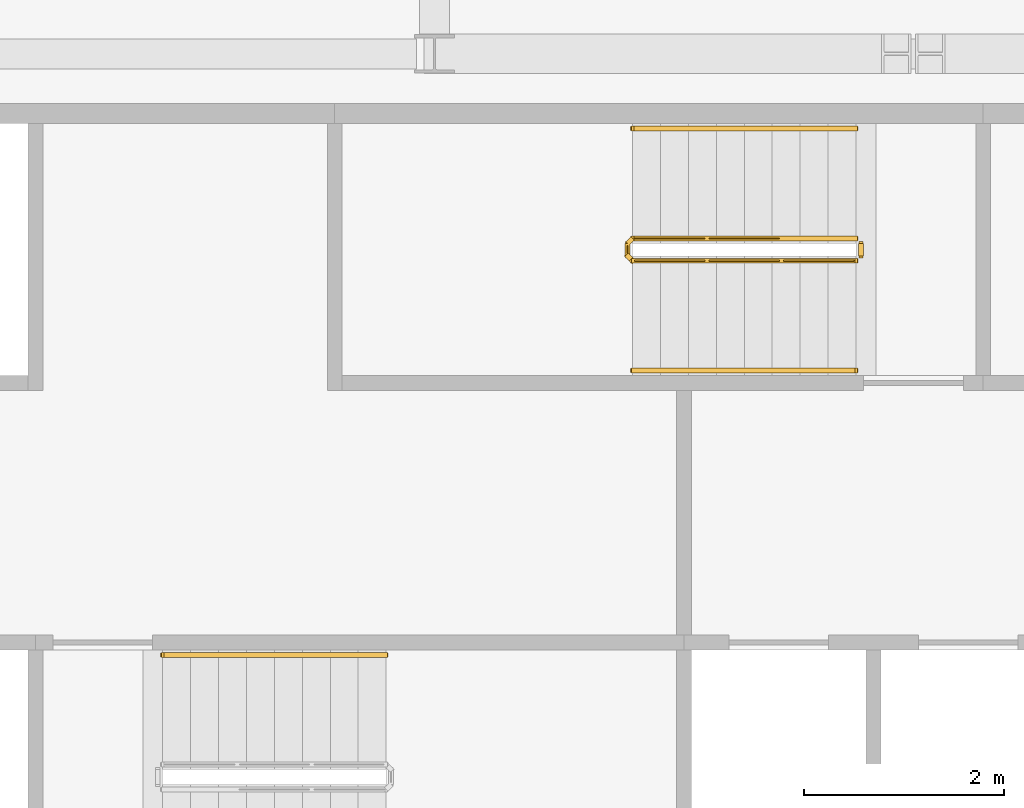
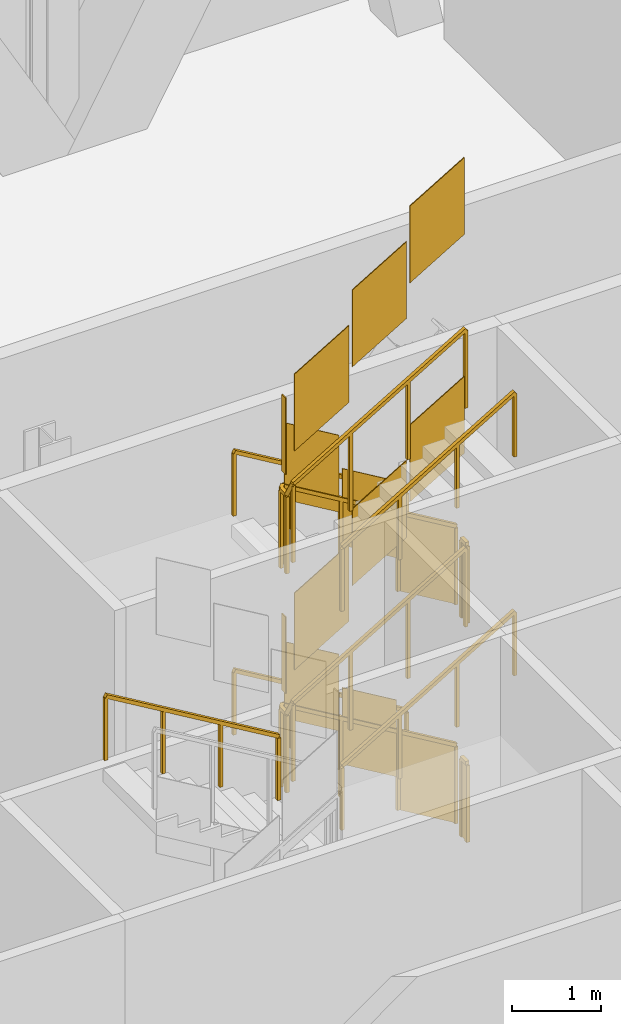
# One storey, part 18 of 18: 9 railings.
"""IFC4 building model written with IfcOpenShell, lengths in metres."""

from ifc_helpers import new_model, si_unit, direction, frame, origin, origin_2d, place, context, subcontext, project, spatial, polyline, rectangle, outline, extrude, material, type_object, element, save


model = new_model("IFC4")

# Units and contexts
model_context = context("Model", 3, precision=1e-05, world=origin(), true_north=direction((0.0, 1.0)))
body_context = subcontext(model_context, "Body", "Model", "MODEL_VIEW")
ifc_project = project(units=[si_unit("LENGTHUNIT", "METRE"), si_unit("AREAUNIT", "SQUARE_METRE"), si_unit("VOLUMEUNIT", "CUBIC_METRE"), si_unit("PLANEANGLEUNIT", "RADIAN"), si_unit("MASSUNIT", "GRAM", prefix="KILO")], contexts=[model_context])

# Site, building, storey
site_placement = place(None, origin())
site = spatial("IfcSite", under=ifc_project, at=site_placement, CompositionType="ELEMENT")
building_placement = place(site_placement, origin())
building = spatial("IfcBuilding", under=site, at=building_placement, Name="Cairn Pilgrim Tower", CompositionType="ELEMENT")
storey_placement = place(building_placement, frame((0.0, 0.0, 261.0)))
storey = spatial("IfcBuildingStorey", under=building, at=storey_placement, Name="L67", CompositionType="ELEMENT", Elevation=261.0)

# Railings
ifc_material = material(Name="Painted steel", Category="steel")
railing_type_1 = type_object("IfcRailingType", Name="STAIR GUARD 1100", PredefinedType="GUARDRAIL", material=ifc_material)
railing_1_placement = place(storey_placement, frame((11.425048828125, 8.949951171875, 0.166748046875)))
element("IfcRailing", 1, at=railing_1_placement, inside=storey, type_object=railing_type_1, Name="L67 ST-C stair guard 1", PredefinedType="GUARDRAIL", context=body_context, shape_type="SweptSolid", body=[
    extrude(rectangle(XDim=0.048095703125, YDim=0.048095703125, at=origin_2d()), frame((0.0, 0.0, 1.076171875), z_axis=(-0.859305625298, 0.0, 0.511462454469), x_axis=(0.0, -1.0, 0.0)), (0.0, 0.0, 1.0), 2.606689453125),
    extrude(rectangle(XDim=0.048095703125, YDim=0.048095703125, at=origin_2d()), frame((-2.239990234375, 0.0, 2.4091796875), z_axis=(-0.707106781187, -0.707106781187, 0.0), x_axis=(0.707106781187, -0.707106781187, 0.0)), (0.0, 0.0, 1.0), 0.07080078125),
    extrude(rectangle(XDim=0.048095703125, YDim=0.048095703125, at=origin_2d()), frame((-2.2900390625, -0.050048828125, 2.4091796875), z_axis=(0.0, -1.0, 0.0), x_axis=(1.0, 0.0, 0.0)), (0.0, 0.0, 1.0), 0.125),
    extrude(rectangle(XDim=0.048095703125, YDim=0.048095703125, at=origin_2d()), frame((-2.2900390625, -0.175048828125, 2.4091796875), z_axis=(0.276389281352, -0.275041040955, 0.920848191041), x_axis=(0.705375805398, 0.708833529934, 0.0)), (0.0, 0.0, 1.0), 0.18115234375),
    extrude(rectangle(XDim=0.048095703125, YDim=0.048095703125, at=origin_2d()), frame((-2.239990234375, -0.224853515625, 2.576171875), z_axis=(0.859305625298, 0.0, 0.511462454469), x_axis=(0.0, 1.0, 0.0)), (0.0, 0.0, 1.0), 2.606689453125),
    extrude(rectangle(XDim=0.0419921875, YDim=0.0419921875, at=origin_2d()), origin(), (0.0, 0.0, 1.0), 1.052001953125),
    extrude(rectangle(XDim=0.0419921875, YDim=0.0419921875, at=origin_2d()), frame((-0.74658203125, 0.0, 0.4443359375)), (0.0, 0.0, 1.0), 1.052001953125),
    extrude(rectangle(XDim=0.0419921875, YDim=0.0419921875, at=origin_2d()), frame((-1.493408203125, 0.0, 0.888916015625)), (0.0, 0.0, 1.0), 1.052001953125),
    extrude(rectangle(XDim=0.0419921875, YDim=0.0419921875, at=origin_2d()), frame((-2.239990234375, 0.0, 1.333251953125)), (0.0, 0.0, 1.0), 1.052001953125),
    extrude(rectangle(XDim=0.0419921875, YDim=0.0419921875, at=origin_2d()), frame((-2.2900390625, -0.050048828125, 1.333251953125)), (0.0, 0.0, 1.0), 1.052001953125),
    extrude(rectangle(XDim=0.0419921875, YDim=0.0419921875, at=origin_2d()), frame((-2.2900390625, -0.175048828125, 1.333251953125)), (0.0, 0.0, 1.0), 1.052001953125),
    extrude(rectangle(XDim=0.0419921875, YDim=0.0419921875, at=origin_2d()), frame((-2.239990234375, -0.224853515625, 1.5)), (0.0, 0.0, 1.0), 1.052001953125),
    extrude(rectangle(XDim=0.0419921875, YDim=0.0419921875, at=origin_2d()), frame((-1.493408203125, -0.224853515625, 1.9443359375)), (0.0, 0.0, 1.0), 1.052001953125),
    extrude(rectangle(XDim=0.0419921875, YDim=0.0419921875, at=origin_2d()), frame((-0.74658203125, -0.224853515625, 2.388916015625)), (0.0, 0.0, 1.0), 1.052001953125),
    extrude(rectangle(XDim=0.0419921875, YDim=0.0419921875, at=origin_2d()), frame((0.0, -0.224853515625, 2.833251953125)), (0.0, 0.0, 1.0), 1.052001953125),
    extrude(outline(polyline([(0.02099609375, 0.012451171875), (0.7255859375, 0.431884765625), (0.7255859375, 1.48388671875), (0.02099609375, 1.064453125), (0.02099609375, 0.012451171875)])), frame((0.0, -0.005859375, 0.0), z_axis=(0.0, 1.0, 0.0), x_axis=(-1.0, 0.0, 0.0)), (0.0, 0.0, 1.0), 0.011962890625),
    extrude(outline(polyline([(0.02099609375, 0.45703125), (0.7255859375, 0.876220703125), (0.7255859375, 1.92822265625), (0.02099609375, 1.509033203125), (0.02099609375, 0.45703125)])), frame((-0.74658203125, -0.005859375, 0.4443359375), z_axis=(0.0, 1.0, 0.0), x_axis=(-1.0, 0.0, 0.0)), (0.0, 0.0, 1.0), 0.011962890625),
    extrude(outline(polyline([(0.02099609375, 0.9013671875), (0.7255859375, 1.32080078125), (0.7255859375, 2.372802734375), (0.02099609375, 1.953369140625), (0.02099609375, 0.9013671875)])), frame((-1.493408203125, -0.005859375, 0.888916015625), z_axis=(0.0, 1.0, 0.0), x_axis=(-1.0, 0.0, 0.0)), (0.0, 0.0, 1.0), 0.011962890625),
    extrude(outline(polyline([(0.02099609375, 1.333251953125), (0.10400390625, 1.333251953125), (0.10400390625, 2.38525390625), (0.02099609375, 2.38525390625), (0.02099609375, 1.333251953125)])), frame((-2.2841796875, -0.050048828125, 1.333251953125), z_axis=(-1.0, 0.0, 0.0), x_axis=(0.0, -1.0, 0.0)), (0.0, 0.0, 1.0), 0.011962890625),
    extrude(outline(polyline([(0.02099609375, 1.512451171875), (0.7255859375, 1.931884765625), (0.7255859375, 2.98388671875), (0.02099609375, 2.564453125), (0.02099609375, 1.512451171875)])), frame((-2.239990234375, -0.21875, 1.5), z_axis=(0.0, -1.0, 0.0), x_axis=(1.0, 0.0, 0.0)), (0.0, 0.0, 1.0), 0.011962890625),
    extrude(outline(polyline([(0.02099609375, 1.95703125), (0.7255859375, 2.376220703125), (0.7255859375, 3.42822265625), (0.02099609375, 3.009033203125), (0.02099609375, 1.95703125)])), frame((-1.493408203125, -0.21875, 1.9443359375), z_axis=(0.0, -1.0, 0.0), x_axis=(1.0, 0.0, 0.0)), (0.0, 0.0, 1.0), 0.011962890625),
    extrude(outline(polyline([(0.02099609375, 2.4013671875), (0.7255859375, 2.82080078125), (0.7255859375, 3.872802734375), (0.02099609375, 3.453369140625), (0.02099609375, 2.4013671875)])), frame((-0.74658203125, -0.21875, 2.388916015625), z_axis=(0.0, -1.0, 0.0), x_axis=(1.0, 0.0, 0.0)), (0.0, 0.0, 1.0), 0.011962890625),
])
railing_2_placement = place(storey_placement, frame((11.47509765625, 8.89990234375, 3.0)))
element("IfcRailing", 2, at=railing_2_placement, inside=storey, type_object=railing_type_1, Name="L67 ST-C stair guard 2", PredefinedType="GUARDRAIL", context=body_context, shape_type="SweptSolid", body=[
    extrude(rectangle(XDim=0.048095703125, YDim=0.048095703125, at=origin_2d()), frame((0.0, 0.0, 1.076171875), z_axis=(0.0, -1.0, 0.0), x_axis=(1.0, 0.0, 0.0)), (0.0, 0.0, 1.0), 0.125),
    extrude(rectangle(XDim=0.0419921875, YDim=0.0419921875, at=origin_2d()), origin(), (0.0, 0.0, 1.0), 1.052001953125),
    extrude(rectangle(XDim=0.0419921875, YDim=0.0419921875, at=origin_2d()), frame((0.0, -0.125, 0.0)), (0.0, 0.0, 1.0), 1.052001953125),
    extrude(outline(polyline([(0.02099609375, 0.0), (0.10400390625, 0.0), (0.10400390625, 1.052001953125), (0.02099609375, 1.052001953125), (0.02099609375, 0.0)])), frame((0.005859375, 0.0, 0.0), z_axis=(-1.0, 0.0, 0.0), x_axis=(0.0, -1.0, 0.0)), (0.0, 0.0, 1.0), 0.011962890625),
])
railing_3_placement = place(storey_placement, frame((11.425048828125, 8.949951171875, 3.166748046875)))
element("IfcRailing", 3, at=railing_3_placement, inside=storey, type_object=railing_type_1, Name="L67 ST-C stair guard 3", PredefinedType="GUARDRAIL", context=body_context, shape_type="SweptSolid", body=[
    extrude(rectangle(XDim=0.048095703125, YDim=0.048095703125, at=origin_2d()), frame((0.0, 0.0, 1.076171875), z_axis=(-0.859305625298, 0.0, 0.511462454469), x_axis=(0.0, -1.0, 0.0)), (0.0, 0.0, 1.0), 2.606689453125),
    extrude(rectangle(XDim=0.048095703125, YDim=0.048095703125, at=origin_2d()), frame((-2.239990234375, 0.0, 2.4091796875), z_axis=(-0.707106781187, -0.707106781187, 0.0), x_axis=(0.707106781187, -0.707106781187, 0.0)), (0.0, 0.0, 1.0), 0.07080078125),
    extrude(rectangle(XDim=0.048095703125, YDim=0.048095703125, at=origin_2d()), frame((-2.2900390625, -0.050048828125, 2.4091796875), z_axis=(0.0, -1.0, 0.0), x_axis=(1.0, 0.0, 0.0)), (0.0, 0.0, 1.0), 0.125),
    extrude(rectangle(XDim=0.048095703125, YDim=0.048095703125, at=origin_2d()), frame((-2.2900390625, -0.175048828125, 2.4091796875), z_axis=(0.276389281352, -0.275041040955, 0.920848191041), x_axis=(0.705375805398, 0.708833529934, 0.0)), (0.0, 0.0, 1.0), 0.18115234375),
    extrude(rectangle(XDim=0.048095703125, YDim=0.048095703125, at=origin_2d()), frame((-2.239990234375, -0.224853515625, 2.576171875), z_axis=(0.859305625298, 0.0, 0.511462454469), x_axis=(0.0, 1.0, 0.0)), (0.0, 0.0, 1.0), 2.606689453125),
    extrude(rectangle(XDim=0.0419921875, YDim=0.0419921875, at=origin_2d()), origin(), (0.0, 0.0, 1.0), 1.052001953125),
    extrude(rectangle(XDim=0.0419921875, YDim=0.0419921875, at=origin_2d()), frame((-0.74658203125, 0.0, 0.4443359375)), (0.0, 0.0, 1.0), 1.052001953125),
    extrude(rectangle(XDim=0.0419921875, YDim=0.0419921875, at=origin_2d()), frame((-1.493408203125, 0.0, 0.888916015625)), (0.0, 0.0, 1.0), 1.052001953125),
    extrude(rectangle(XDim=0.0419921875, YDim=0.0419921875, at=origin_2d()), frame((-2.239990234375, 0.0, 1.333251953125)), (0.0, 0.0, 1.0), 1.052001953125),
    extrude(rectangle(XDim=0.0419921875, YDim=0.0419921875, at=origin_2d()), frame((-2.2900390625, -0.050048828125, 1.333251953125)), (0.0, 0.0, 1.0), 1.052001953125),
    extrude(rectangle(XDim=0.0419921875, YDim=0.0419921875, at=origin_2d()), frame((-2.2900390625, -0.175048828125, 1.333251953125)), (0.0, 0.0, 1.0), 1.052001953125),
    extrude(rectangle(XDim=0.0419921875, YDim=0.0419921875, at=origin_2d()), frame((-2.239990234375, -0.224853515625, 1.5)), (0.0, 0.0, 1.0), 1.052001953125),
    extrude(rectangle(XDim=0.0419921875, YDim=0.0419921875, at=origin_2d()), frame((-1.493408203125, -0.224853515625, 1.9443359375)), (0.0, 0.0, 1.0), 1.052001953125),
    extrude(rectangle(XDim=0.0419921875, YDim=0.0419921875, at=origin_2d()), frame((-0.74658203125, -0.224853515625, 2.388916015625)), (0.0, 0.0, 1.0), 1.052001953125),
    extrude(rectangle(XDim=0.0419921875, YDim=0.0419921875, at=origin_2d()), frame((0.0, -0.224853515625, 2.833251953125)), (0.0, 0.0, 1.0), 1.052001953125),
    extrude(outline(polyline([(0.02099609375, 0.012451171875), (0.7255859375, 0.431884765625), (0.7255859375, 1.48388671875), (0.02099609375, 1.064453125), (0.02099609375, 0.012451171875)])), frame((0.0, -0.005859375, 0.0), z_axis=(0.0, 1.0, 0.0), x_axis=(-1.0, 0.0, 0.0)), (0.0, 0.0, 1.0), 0.011962890625),
    extrude(outline(polyline([(0.02099609375, 0.45703125), (0.7255859375, 0.876220703125), (0.7255859375, 1.92822265625), (0.02099609375, 1.509033203125), (0.02099609375, 0.45703125)])), frame((-0.74658203125, -0.005859375, 0.4443359375), z_axis=(0.0, 1.0, 0.0), x_axis=(-1.0, 0.0, 0.0)), (0.0, 0.0, 1.0), 0.011962890625),
    extrude(outline(polyline([(0.02099609375, 0.9013671875), (0.7255859375, 1.32080078125), (0.7255859375, 2.372802734375), (0.02099609375, 1.953369140625), (0.02099609375, 0.9013671875)])), frame((-1.493408203125, -0.005859375, 0.888916015625), z_axis=(0.0, 1.0, 0.0), x_axis=(-1.0, 0.0, 0.0)), (0.0, 0.0, 1.0), 0.011962890625),
    extrude(outline(polyline([(0.02099609375, 1.333251953125), (0.10400390625, 1.333251953125), (0.10400390625, 2.38525390625), (0.02099609375, 2.38525390625), (0.02099609375, 1.333251953125)])), frame((-2.2841796875, -0.050048828125, 1.333251953125), z_axis=(-1.0, 0.0, 0.0), x_axis=(0.0, -1.0, 0.0)), (0.0, 0.0, 1.0), 0.011962890625),
    extrude(outline(polyline([(0.02099609375, 1.512451171875), (0.7255859375, 1.931884765625), (0.7255859375, 2.98388671875), (0.02099609375, 2.564453125), (0.02099609375, 1.512451171875)])), frame((-2.239990234375, -0.21875, 1.5), z_axis=(0.0, -1.0, 0.0), x_axis=(1.0, 0.0, 0.0)), (0.0, 0.0, 1.0), 0.011962890625),
    extrude(outline(polyline([(0.02099609375, 1.95703125), (0.7255859375, 2.376220703125), (0.7255859375, 3.42822265625), (0.02099609375, 3.009033203125), (0.02099609375, 1.95703125)])), frame((-1.493408203125, -0.21875, 1.9443359375), z_axis=(0.0, -1.0, 0.0), x_axis=(1.0, 0.0, 0.0)), (0.0, 0.0, 1.0), 0.011962890625),
    extrude(outline(polyline([(0.02099609375, 2.4013671875), (0.7255859375, 2.82080078125), (0.7255859375, 3.872802734375), (0.02099609375, 3.453369140625), (0.02099609375, 2.4013671875)])), frame((-0.74658203125, -0.21875, 2.388916015625), z_axis=(0.0, -1.0, 0.0), x_axis=(1.0, 0.0, 0.0)), (0.0, 0.0, 1.0), 0.011962890625),
])
railing_4_placement = place(storey_placement, frame((11.47509765625, 8.89990234375, 0.0)))
element("IfcRailing", 4, at=railing_4_placement, inside=storey, type_object=railing_type_1, Name="L67 ST-C stair guard 4", PredefinedType="GUARDRAIL", context=body_context, shape_type="SweptSolid", body=[
    extrude(rectangle(XDim=0.048095703125, YDim=0.048095703125, at=origin_2d()), frame((0.0, 0.0, 1.076171875), z_axis=(0.0, -1.0, 0.0), x_axis=(1.0, 0.0, 0.0)), (0.0, 0.0, 1.0), 0.125),
    extrude(rectangle(XDim=0.0419921875, YDim=0.0419921875, at=origin_2d()), origin(), (0.0, 0.0, 1.0), 1.052001953125),
    extrude(rectangle(XDim=0.0419921875, YDim=0.0419921875, at=origin_2d()), frame((0.0, -0.125, 0.0)), (0.0, 0.0, 1.0), 1.052001953125),
    extrude(outline(polyline([(0.02099609375, 0.0), (0.10400390625, 0.0), (0.10400390625, 1.052001953125), (0.02099609375, 1.052001953125), (0.02099609375, 0.0)])), frame((0.005859375, 0.0, 0.0), z_axis=(-1.0, 0.0, 0.0), x_axis=(0.0, -1.0, 0.0)), (0.0, 0.0, 1.0), 0.011962890625),
])
railing_type_2 = type_object("IfcRailingType", Name="STAIR HANDRAIL 900", PredefinedType="HANDRAIL", material=ifc_material)
for number, where, name in (
    (5, (6.715087890625, 4.77490234375, 4.666748046875), "L67 ST-B stair handrail 4"),
    (6, (11.425048828125, 10.050048828125, 0.166748046875), "L67 ST-C stair handrail 1"),
):
    element("IfcRailing", number, at=place(storey_placement, frame(where)), inside=storey, type_object=railing_type_2, Name=name, PredefinedType="HANDRAIL", context=body_context, shape_type="SweptSolid", body=[
        extrude(rectangle(XDim=0.048095703125, YDim=0.048095703125, at=origin_2d()), frame((0.0, 0.0, 0.8759765625), z_axis=(-0.859305625298, 0.0, 0.511462454469), x_axis=(0.0, -1.0, 0.0)), (0.0, 0.0, 1.0), 2.606689453125),
        extrude(rectangle(XDim=0.0419921875, YDim=0.0419921875, at=origin_2d()), origin(), (0.0, 0.0, 1.0), 0.851806640625),
        extrude(rectangle(XDim=0.0419921875, YDim=0.0419921875, at=origin_2d()), frame((-0.74658203125, 0.0, 0.4443359375)), (0.0, 0.0, 1.0), 0.851806640625),
        extrude(rectangle(XDim=0.0419921875, YDim=0.0419921875, at=origin_2d()), frame((-1.493408203125, 0.0, 0.888916015625)), (0.0, 0.0, 1.0), 0.851806640625),
        extrude(rectangle(XDim=0.0419921875, YDim=0.0419921875, at=origin_2d()), frame((-2.239990234375, 0.0, 1.333251953125)), (0.0, 0.0, 1.0), 0.851806640625),
    ])
railing_5_placement = place(storey_placement, frame((9.18505859375, 7.625, 1.666748046875)))
element("IfcRailing", 7, at=railing_5_placement, inside=storey, type_object=railing_type_2, Name="L67 ST-C stair handrail 2", PredefinedType="HANDRAIL", context=body_context, shape_type="SweptSolid", body=[
    extrude(rectangle(XDim=0.048095703125, YDim=0.048095703125, at=origin_2d()), frame((0.0, 0.0, 0.8759765625), z_axis=(0.859305625298, 0.0, 0.511462454469), x_axis=(0.0, 1.0, 0.0)), (0.0, 0.0, 1.0), 2.606689453125),
    extrude(rectangle(XDim=0.0419921875, YDim=0.0419921875, at=origin_2d()), origin(), (0.0, 0.0, 1.0), 0.851806640625),
    extrude(rectangle(XDim=0.0419921875, YDim=0.0419921875, at=origin_2d()), frame((0.74658203125, 0.0, 0.4443359375)), (0.0, 0.0, 1.0), 0.851806640625),
    extrude(rectangle(XDim=0.0419921875, YDim=0.0419921875, at=origin_2d()), frame((1.493408203125, 0.0, 0.888916015625)), (0.0, 0.0, 1.0), 0.851806640625),
    extrude(rectangle(XDim=0.0419921875, YDim=0.0419921875, at=origin_2d()), frame((2.239990234375, 0.0, 1.333251953125)), (0.0, 0.0, 1.0), 0.851806640625),
])
railing_6_placement = place(storey_placement, frame((11.425048828125, 10.050048828125, 3.166748046875)))
element("IfcRailing", 8, at=railing_6_placement, inside=storey, type_object=railing_type_2, Name="L67 ST-C stair handrail 3", PredefinedType="HANDRAIL", context=body_context, shape_type="SweptSolid", body=[
    extrude(rectangle(XDim=0.048095703125, YDim=0.048095703125, at=origin_2d()), frame((0.0, 0.0, 0.8759765625), z_axis=(-0.859305625298, 0.0, 0.511462454469), x_axis=(0.0, -1.0, 0.0)), (0.0, 0.0, 1.0), 2.606689453125),
    extrude(rectangle(XDim=0.0419921875, YDim=0.0419921875, at=origin_2d()), origin(), (0.0, 0.0, 1.0), 0.851806640625),
    extrude(rectangle(XDim=0.0419921875, YDim=0.0419921875, at=origin_2d()), frame((-0.74658203125, 0.0, 0.4443359375)), (0.0, 0.0, 1.0), 0.851806640625),
    extrude(rectangle(XDim=0.0419921875, YDim=0.0419921875, at=origin_2d()), frame((-1.493408203125, 0.0, 0.888916015625)), (0.0, 0.0, 1.0), 0.851806640625),
    extrude(rectangle(XDim=0.0419921875, YDim=0.0419921875, at=origin_2d()), frame((-2.239990234375, 0.0, 1.333251953125)), (0.0, 0.0, 1.0), 0.851806640625),
])
railing_7_placement = place(storey_placement, frame((9.18505859375, 7.625, 4.666748046875)))
element("IfcRailing", 9, at=railing_7_placement, inside=storey, type_object=railing_type_2, Name="L67 ST-C stair handrail 4", PredefinedType="HANDRAIL", context=body_context, shape_type="SweptSolid", body=[
    extrude(rectangle(XDim=0.048095703125, YDim=0.048095703125, at=origin_2d()), frame((0.0, 0.0, 0.8759765625), z_axis=(0.859305625298, 0.0, 0.511462454469), x_axis=(0.0, 1.0, 0.0)), (0.0, 0.0, 1.0), 2.606689453125),
    extrude(rectangle(XDim=0.0419921875, YDim=0.0419921875, at=origin_2d()), origin(), (0.0, 0.0, 1.0), 0.851806640625),
    extrude(rectangle(XDim=0.0419921875, YDim=0.0419921875, at=origin_2d()), frame((0.74658203125, 0.0, 0.4443359375)), (0.0, 0.0, 1.0), 0.851806640625),
    extrude(rectangle(XDim=0.0419921875, YDim=0.0419921875, at=origin_2d()), frame((1.493408203125, 0.0, 0.888916015625)), (0.0, 0.0, 1.0), 0.851806640625),
    extrude(rectangle(XDim=0.0419921875, YDim=0.0419921875, at=origin_2d()), frame((2.239990234375, 0.0, 1.333251953125)), (0.0, 0.0, 1.0), 0.851806640625),
])

save(model, "model.ifc")
